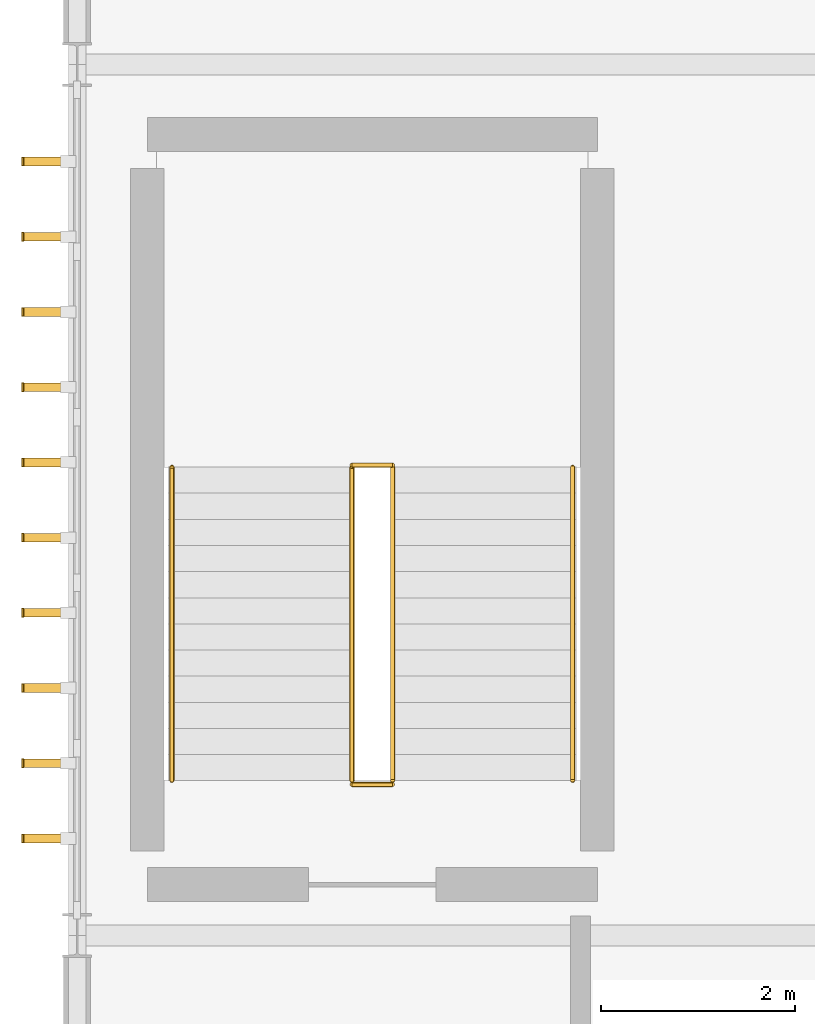
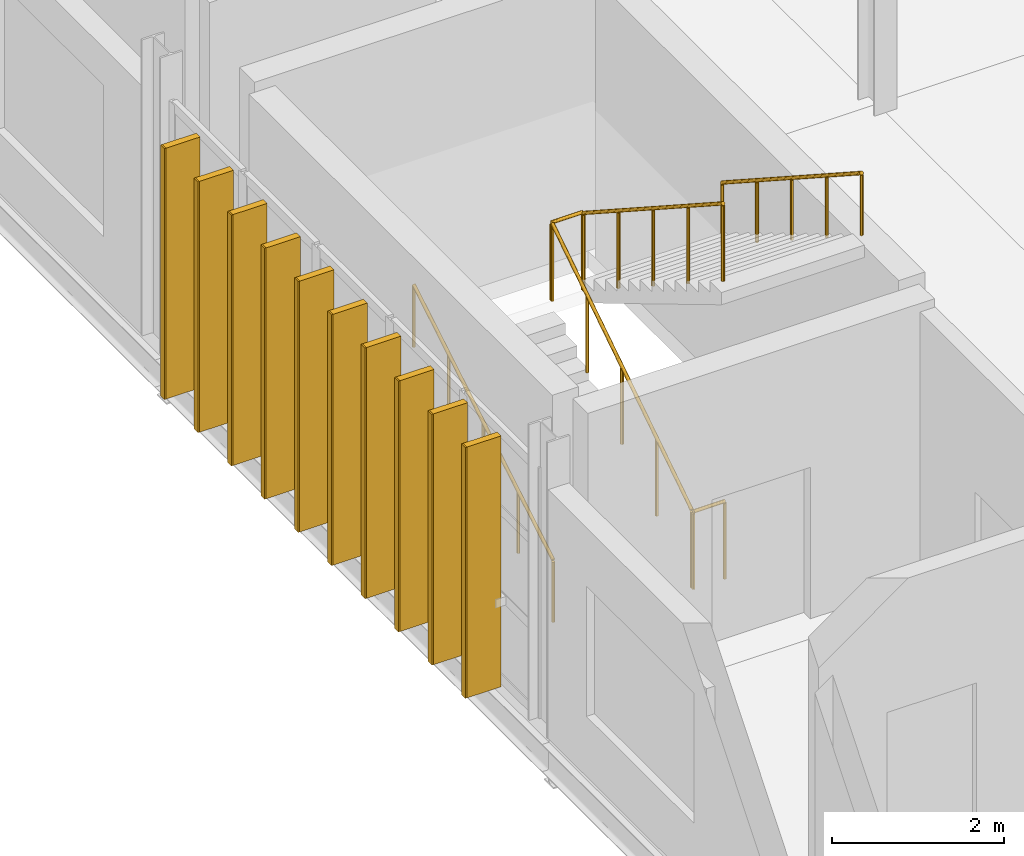
# One storey, part 36 of 38: 10 coverings, 10 shading devices, 6 railings.
"""IFC4 building model written with IfcOpenShell, lengths in metres."""

from ifc_helpers import new_model, si_unit, direction, frame, origin, origin_2d, place, context, subcontext, project, spatial, rectangle, circle, extrude, material, layer, layer_set, type_object, element, save


model = new_model("IFC4")

# Units and contexts
model_context = context("Model", 3, precision=1e-05, world=origin(), true_north=direction((0.0, 1.0)))
body_context = subcontext(model_context, "Body", "Model", "MODEL_VIEW")
ifc_project = project(units=[si_unit("LENGTHUNIT", "METRE"), si_unit("AREAUNIT", "SQUARE_METRE"), si_unit("VOLUMEUNIT", "CUBIC_METRE"), si_unit("PLANEANGLEUNIT", "RADIAN"), si_unit("MASSUNIT", "GRAM", prefix="KILO")], contexts=[model_context])

# Site, building, storey
site_placement = place(None, origin())
site = spatial("IfcSite", under=ifc_project, at=site_placement, CompositionType="ELEMENT")
building_placement = place(site_placement, origin())
building = spatial("IfcBuilding", under=site, at=building_placement, Name="Zarnetskaya Central Station", CompositionType="ELEMENT")
storey_placement = place(building_placement, frame((0.0, 0.0, 18.60009765625)))
storey = spatial("IfcBuildingStorey", under=building, at=storey_placement, Name="L04", CompositionType="ELEMENT", Elevation=18.60009765625)

# Coverings
ifc_material_1 = material(Name="Treated larch timber", Category="wood")
ifc_layer = layer(ifc_material_1, 0.02001953125, Name="Treated larch timber", Category="wood")
ifc_layer_set = layer_set([ifc_layer], Name="Treated larch timber")
covering_type = type_object("IfcCoveringType", Name="COV-LARCH-CAP", PredefinedType="CLADDING", material=ifc_layer_set)
for number, where, z_axis, x_axis, name in (
    (1, (-0.56005859375, 32.202392578125, -0.000244140625), (0.0, 0.0, 1.0), (0.0, 1.0, 0.0), "Larch fin weather cap CW-L04-049-01"),
    (2, (-0.56005859375, 32.9794921875, -0.000244140625), (0.0, 0.0, 1.0), (0.0, 1.0, 0.0), "Larch fin weather cap CW-L04-049-02"),
    (3, (-0.56005859375, 33.7568359375, -0.000244140625), (0.0, 0.0, 1.0), (0.0, 1.0, 0.0), "Larch fin weather cap CW-L04-049-03"),
    (4, (-0.56005859375, 34.5341796875, -0.000244140625), (0.0, 0.0, 1.0), (0.0, 1.0, 0.0), "Larch fin weather cap CW-L04-049-04"),
    (5, (-0.56005859375, 35.311279296875, -0.000244140625), (0.0, 0.0, 1.0), (0.0, 1.0, 0.0), "Larch fin weather cap CW-L04-049-05"),
    (6, (-0.56005859375, 36.088623046875, -0.000244140625), (0.0, 0.0, 1.0), (0.0, 1.0, 0.0), "Larch fin weather cap CW-L04-049-06"),
    (7, (-0.56005859375, 36.865966796875, -0.000244140625), (0.0, 0.0, 1.0), (0.0, 1.0, 0.0), "Larch fin weather cap CW-L04-049-07"),
    (8, (-0.56005859375, 37.64306640625, -0.000244140625), (0.0, 0.0, 1.0), (0.0, 1.0, 0.0), "Larch fin weather cap CW-L04-049-08"),
    (9, (-0.56005859375, 38.42041015625, -0.000244140625), (0.0, 0.0, 1.0), (0.0, 1.0, 0.0), "Larch fin weather cap CW-L04-049-09"),
    (10, (-0.56005859375, 39.19775390625, -0.000244140625), (0.0, 0.0, 1.0), (0.0, 1.0, 0.0), "Larch fin weather cap CW-L04-049-10"),
):
    element("IfcCovering", number, at=place(storey_placement, frame(where, z_axis=z_axis, x_axis=x_axis)), inside=storey, type_object=covering_type, Name=name, PredefinedType="CLADDING", context=body_context, shape_type="SweptSolid", body=[
        extrude(rectangle(XDim=0.090087890625, YDim=0.02001953125, at=origin_2d()), origin(), (0.0, 0.0, 1.0), 3.56005859375),
    ])

# Railings
ifc_material_2 = material(Name="Steel S355", Category="steel")
railing_type_1 = type_object("IfcRailingType", Name="RAIL-HAND-900", PredefinedType="HANDRAIL", material=ifc_material_2)
railing_1_placement = place(storey_placement, frame((0.97998046875, 32.800048828125, 0.161376953125)))
element("IfcRailing", 11, at=railing_1_placement, inside=storey, type_object=railing_type_1, Name="Stair ST-C2 L04 flight 1 handrail", PredefinedType="HANDRAIL", context=body_context, shape_type="SweptSolid", body=[
    extrude(circle(Radius=0.02392578125, at=origin_2d()), frame((0.0, 0.0, 0.8759765625), z_axis=(0.0, 0.858136976317, 0.513420811691), x_axis=(-1.0, 0.0, 0.0)), (0.0, 0.0, 1.0), 3.775634765625),
    extrude(circle(Radius=0.02099609375, at=origin_2d()), origin(), (0.0, 0.0, 1.0), 0.851806640625),
    extrude(circle(Radius=0.02099609375, at=origin_2d()), frame((0.0, 0.81005859375, 0.484619140625)), (0.0, 0.0, 1.0), 0.851806640625),
    extrude(circle(Radius=0.02099609375, at=origin_2d()), frame((0.0, 1.6201171875, 0.96923828125)), (0.0, 0.0, 1.0), 0.851806640625),
    extrude(circle(Radius=0.02099609375, at=origin_2d()), frame((0.0, 2.429931640625, 1.453857421875)), (0.0, 0.0, 1.0), 0.851806640625),
    extrude(circle(Radius=0.02099609375, at=origin_2d()), frame((0.0, 3.239990234375, 1.9384765625)), (0.0, 0.0, 1.0), 0.851806640625),
])
railing_2_placement = place(storey_placement, frame((5.1201171875, 36.0400390625, 2.099853515625)))
element("IfcRailing", 12, at=railing_2_placement, inside=storey, type_object=railing_type_1, Name="Stair ST-C2 L04 flight 2 handrail", PredefinedType="HANDRAIL", context=body_context, shape_type="SweptSolid", body=[
    extrude(circle(Radius=0.02392578125, at=origin_2d()), frame((0.0, 0.0, 0.8759765625), z_axis=(0.0, -0.839140694364, 0.543914418877), x_axis=(1.0, 0.0, 0.0)), (0.0, 0.0, 1.0), 3.861083984375),
    extrude(circle(Radius=0.02099609375, at=origin_2d()), origin(), (0.0, 0.0, 1.0), 0.851806640625),
    extrude(circle(Radius=0.02099609375, at=origin_2d()), frame((0.0, -0.81005859375, 0.52490234375)), (0.0, 0.0, 1.0), 0.851806640625),
    extrude(circle(Radius=0.02099609375, at=origin_2d()), frame((0.0, -1.6201171875, 1.050048828125)), (0.0, 0.0, 1.0), 0.851806640625),
    extrude(circle(Radius=0.02099609375, at=origin_2d()), frame((0.0, -2.429931640625, 1.5751953125)), (0.0, 0.0, 1.0), 0.851806640625),
    extrude(circle(Radius=0.02099609375, at=origin_2d()), frame((0.0, -3.239990234375, 2.10009765625)), (0.0, 0.0, 1.0), 0.851806640625),
])
railing_type_2 = type_object("IfcRailingType", Name="RAIL-STAIR-GRD", PredefinedType="BALUSTRADE", material=ifc_material_2)
railing_3_placement = place(storey_placement, frame((2.840087890625, 32.760009765625, 0.0)))
element("IfcRailing", 13, at=railing_3_placement, inside=storey, type_object=railing_type_2, Name="Stair ST-C2 L04 floor well guard", PredefinedType="BALUSTRADE", context=body_context, shape_type="SweptSolid", body=[
    extrude(circle(Radius=0.02392578125, at=origin_2d()), frame((0.0, 0.0, 1.09619140625), z_axis=(1.0, 0.0, 0.0), x_axis=(0.0, 1.0, 0.0)), (0.0, 0.0, 1.0), 0.419921875),
    extrude(circle(Radius=0.02099609375, at=origin_2d()), origin(), (0.0, 0.0, 1.0), 1.072021484375),
    extrude(circle(Radius=0.02099609375, at=origin_2d()), frame((0.419921875, 0.0, 0.0)), (0.0, 0.0, 1.0), 1.072021484375),
])
railing_4_placement = place(storey_placement, frame((2.840087890625, 32.800048828125, 0.0)))
element("IfcRailing", 14, at=railing_4_placement, inside=storey, type_object=railing_type_2, Name="Stair ST-C2 L04 flight 1 well guard", PredefinedType="BALUSTRADE", context=body_context, shape_type="SweptSolid", body=[
    extrude(circle(Radius=0.02392578125, at=origin_2d()), frame((0.0, 0.0, 1.09619140625), z_axis=(0.0, 0.839169554186, 0.543869891911), x_axis=(-1.0, 0.0, 0.0)), (0.0, 0.0, 1.0), 3.86083984375),
    extrude(circle(Radius=0.02099609375, at=origin_2d()), origin(), (0.0, 0.0, 1.0), 1.072021484375),
    extrude(circle(Radius=0.02099609375, at=origin_2d()), frame((0.0, 0.81005859375, 0.52490234375)), (0.0, 0.0, 1.0), 1.072021484375),
    extrude(circle(Radius=0.02099609375, at=origin_2d()), frame((0.0, 1.6201171875, 1.0498046875)), (0.0, 0.0, 1.0), 1.072021484375),
    extrude(circle(Radius=0.02099609375, at=origin_2d()), frame((0.0, 2.429931640625, 1.574951171875)), (0.0, 0.0, 1.0), 1.072021484375),
    extrude(circle(Radius=0.02099609375, at=origin_2d()), frame((0.0, 3.239990234375, 2.099853515625)), (0.0, 0.0, 1.0), 1.072021484375),
])
railing_5_placement = place(storey_placement, frame((2.840087890625, 36.06005859375, 2.099853515625)))
element("IfcRailing", 15, at=railing_5_placement, inside=storey, type_object=railing_type_2, Name="Stair ST-C2 L04 half-landing well guard", PredefinedType="BALUSTRADE", context=body_context, shape_type="SweptSolid", body=[
    extrude(circle(Radius=0.02392578125, at=origin_2d()), frame((0.0, 0.0, 1.09619140625), z_axis=(1.0, 0.0, 0.0), x_axis=(0.0, 1.0, 0.0)), (0.0, 0.0, 1.0), 0.419921875),
    extrude(circle(Radius=0.02099609375, at=origin_2d()), origin(), (0.0, 0.0, 1.0), 1.072021484375),
    extrude(circle(Radius=0.02099609375, at=origin_2d()), frame((0.419921875, 0.0, 0.0)), (0.0, 0.0, 1.0), 1.072021484375),
])
railing_6_placement = place(storey_placement, frame((3.260009765625, 36.0400390625, 2.099853515625)))
element("IfcRailing", 16, at=railing_6_placement, inside=storey, type_object=railing_type_2, Name="Stair ST-C2 L04 flight 2 well guard", PredefinedType="BALUSTRADE", context=body_context, shape_type="SweptSolid", body=[
    extrude(circle(Radius=0.02392578125, at=origin_2d()), frame((0.0, 0.0, 1.09619140625), z_axis=(0.0, -0.839140694364, 0.543914418877), x_axis=(1.0, 0.0, 0.0)), (0.0, 0.0, 1.0), 3.861083984375),
    extrude(circle(Radius=0.02099609375, at=origin_2d()), origin(), (0.0, 0.0, 1.0), 1.072021484375),
    extrude(circle(Radius=0.02099609375, at=origin_2d()), frame((0.0, -0.81005859375, 0.52490234375)), (0.0, 0.0, 1.0), 1.072021484375),
    extrude(circle(Radius=0.02099609375, at=origin_2d()), frame((0.0, -1.6201171875, 1.050048828125)), (0.0, 0.0, 1.0), 1.072021484375),
    extrude(circle(Radius=0.02099609375, at=origin_2d()), frame((0.0, -2.429931640625, 1.5751953125)), (0.0, 0.0, 1.0), 1.072021484375),
    extrude(circle(Radius=0.02099609375, at=origin_2d()), frame((0.0, -3.239990234375, 2.10009765625)), (0.0, 0.0, 1.0), 1.072021484375),
])

# Shading devices
ifc_material_3 = material(Name="Larch glulam GL28h", Category="wood")
shading_device_type = type_object("IfcShadingDeviceType", Name="SHD-LARCH-FIN-A", PredefinedType="USERDEFINED", material=ifc_material_3)
for number, where, z_axis, x_axis, name in (
    (17, (-0.320068359375, 32.202392578125, -0.000244140625), (0.0, 0.0, 1.0), (0.0, 1.0, 0.0), "Vertical larch timber fin CW-L04-049-01"),
    (18, (-0.320068359375, 32.9794921875, -0.000244140625), (0.0, 0.0, 1.0), (0.0, 1.0, 0.0), "Vertical larch timber fin CW-L04-049-02"),
    (19, (-0.320068359375, 33.7568359375, -0.000244140625), (0.0, 0.0, 1.0), (0.0, 1.0, 0.0), "Vertical larch timber fin CW-L04-049-03"),
    (20, (-0.320068359375, 34.5341796875, -0.000244140625), (0.0, 0.0, 1.0), (0.0, 1.0, 0.0), "Vertical larch timber fin CW-L04-049-04"),
    (21, (-0.320068359375, 35.311279296875, -0.000244140625), (0.0, 0.0, 1.0), (0.0, 1.0, 0.0), "Vertical larch timber fin CW-L04-049-05"),
    (22, (-0.320068359375, 36.088623046875, -0.000244140625), (0.0, 0.0, 1.0), (0.0, 1.0, 0.0), "Vertical larch timber fin CW-L04-049-06"),
    (23, (-0.320068359375, 36.865966796875, -0.000244140625), (0.0, 0.0, 1.0), (0.0, 1.0, 0.0), "Vertical larch timber fin CW-L04-049-07"),
    (24, (-0.320068359375, 37.64306640625, -0.000244140625), (0.0, 0.0, 1.0), (0.0, 1.0, 0.0), "Vertical larch timber fin CW-L04-049-08"),
    (25, (-0.320068359375, 38.42041015625, -0.000244140625), (0.0, 0.0, 1.0), (0.0, 1.0, 0.0), "Vertical larch timber fin CW-L04-049-09"),
    (26, (-0.320068359375, 39.19775390625, -0.000244140625), (0.0, 0.0, 1.0), (0.0, 1.0, 0.0), "Vertical larch timber fin CW-L04-049-10"),
):
    element("IfcShadingDevice", number, at=place(storey_placement, frame(where, z_axis=z_axis, x_axis=x_axis)), inside=storey, type_object=shading_device_type, Name=name, ObjectType="TIMBER FIN", PredefinedType="USERDEFINED", context=body_context, shape_type="SweptSolid", body=[
        extrude(rectangle(XDim=0.090087890625, YDim=0.4599609375, at=origin_2d()), origin(), (0.0, 0.0, 1.0), 3.56005859375),
    ])

save(model, "model.ifc")
